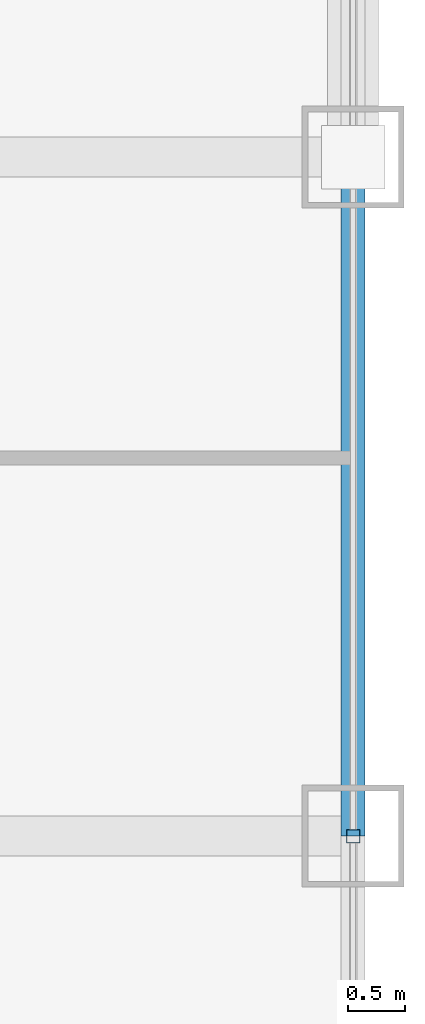
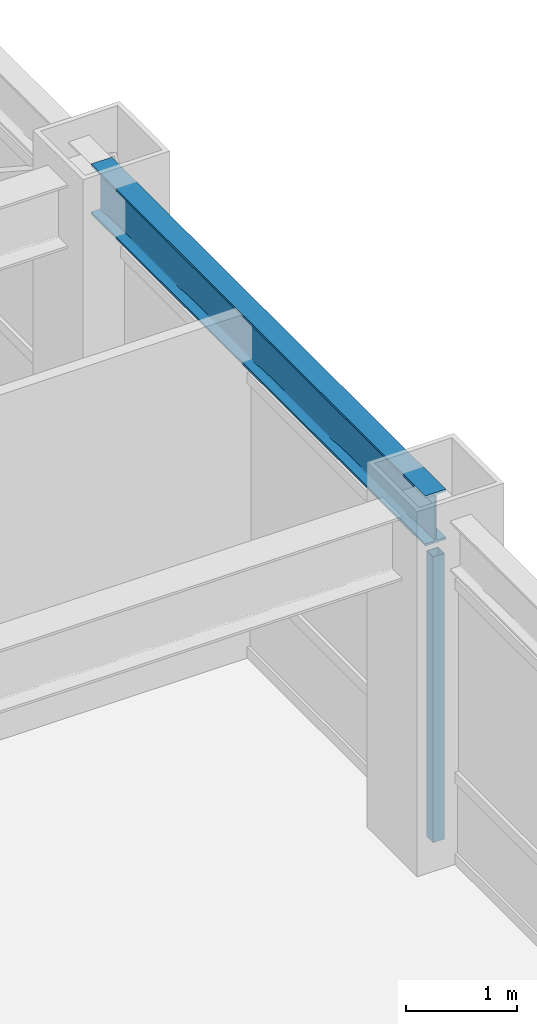
# One storey, part 10 of 22: 1 beam, 1 member, 1 element without a shape of its own.
"""IFC4 building model written with IfcOpenShell, lengths in metres."""

import ifcopenshell
import ifcopenshell.guid

model = None  # the IFC model being written
_history = None  # IfcOwnerHistory: only IFC2X3 demands one
_inside = {}  # id of a spatial element -> (the spatial element, [elements in it])
_under = {}  # id of a project, library or spatial element -> (it, [spatial elements below it])
_declared = {}  # id of a project -> (the project, [libraries it declares])
_typed = {}  # id of a type object -> (the type object, [elements of that type])
_made_of = {}  # id of a material, layer set ... -> (it, [elements and type objects made of it])


def new_model(schema):
    """Start an empty IFC model of exactly this schema.

    Asked for "IFC4X3", IfcOpenShell would pick the latest addendum, in which some entities
    have other attributes; the version numbers below select the first issue.
    IFC2X3 requires an IfcOwnerHistory on every rooted entity: one is made here for all.
    """
    global model, _history
    if schema == "IFC4X3":
        model = ifcopenshell.file(schema_version=(4, 3, 0, 0))
    else:
        model = ifcopenshell.file(schema=schema)
    _inside.clear()
    _under.clear()
    _declared.clear()
    _typed.clear()
    _made_of.clear()
    _history = None
    if model.schema == "IFC2X3":
        org = make("IfcOrganization", Name="unknown")
        user = make(
            "IfcPersonAndOrganization",
            ThePerson=make("IfcPerson", FamilyName="unknown"),
            TheOrganization=org,
        )
        app = make(
            "IfcApplication",
            ApplicationDeveloper=org,
            Version="unknown",
            ApplicationFullName="unknown",
            ApplicationIdentifier="unknown",
        )
        _history = make(
            "IfcOwnerHistory",
            OwningUser=user,
            OwningApplication=app,
            ChangeAction="ADDED",
            CreationDate=0,
        )
    return model


def make(cls, **values):
    """One entity of the class cls with the attributes given. An attribute that is None is left unset."""
    return model.create_entity(
        cls, **{name: value for name, value in values.items() if value is not None}
    )


def rooted(cls, **values):
    """An entity with a GlobalId (a new one), such as an element, a storey or a relation."""
    return make(cls, GlobalId=ifcopenshell.guid.new(), OwnerHistory=_history, **values)


def si_unit(unit_type, name, prefix=None):
    """IfcSIUnit, for example si_unit("LENGTHUNIT", "METRE", prefix="MILLI")."""
    return make("IfcSIUnit", UnitType=unit_type, Prefix=prefix, Name=name)


def assignment(units):
    """IfcUnitAssignment: the units of a project."""
    return None if units is None else make("IfcUnitAssignment", Units=units)


def point(xyz):
    """IfcCartesianPoint."""
    return None if xyz is None else make("IfcCartesianPoint", Coordinates=xyz)


def direction(xyz):
    """IfcDirection."""
    return None if xyz is None else make("IfcDirection", DirectionRatios=xyz)


def frame(location, z_axis=None, x_axis=None):
    """IfcAxis2Placement3D, a coordinate frame: its origin and axes. An axis left out is left unset."""
    return make(
        "IfcAxis2Placement3D",
        Location=point(location),
        Axis=direction(z_axis),
        RefDirection=direction(x_axis),
    )


def frame_2d(location, x_axis=None):
    """IfcAxis2Placement2D, a coordinate frame in the plane: its origin and x axis."""
    return make(
        "IfcAxis2Placement2D", Location=point(location), RefDirection=direction(x_axis)
    )


def origin():
    """The frame at (0, 0, 0) with its axes left unset."""
    return frame((0.0, 0.0, 0.0))


def origin_2d():
    """The frame at (0, 0) in the plane with its x axis left unset."""
    return frame_2d((0.0, 0.0))


def place(relative_to, where):
    """IfcLocalPlacement: puts the frame where relative to a parent placement (None: the world)."""
    return make(
        "IfcLocalPlacement", PlacementRelTo=relative_to, RelativePlacement=where
    )


def context(
    kind, dimensions, precision=None, world=None, true_north=None, identifier=None
):
    """IfcGeometricRepresentationContext, for example the 3D "Model" context."""
    return make(
        "IfcGeometricRepresentationContext",
        ContextIdentifier=identifier,
        ContextType=kind,
        CoordinateSpaceDimension=dimensions,
        Precision=precision,
        WorldCoordinateSystem=world,
        TrueNorth=true_north,
    )


def subcontext(parent, identifier, kind, view, scale=None):
    """IfcGeometricRepresentationSubContext, for example "Body" below "Model"."""
    return make(
        "IfcGeometricRepresentationSubContext",
        ContextIdentifier=identifier,
        ContextType=kind,
        ParentContext=parent,
        TargetScale=scale,
        TargetView=view,
    )


def project(units=None, contexts=None):
    """IfcProject with its units and contexts."""
    return rooted(
        "IfcProject",
        Name="project",
        RepresentationContexts=contexts,
        UnitsInContext=assignment(units),
    )


def spatial(cls, under=None, at=None, **own):
    """A site, building, storey or space (cls), placed at a placement, below another one or the project."""
    s = rooted(cls, ObjectPlacement=at, **own)
    if under is not None:
        _under.setdefault(under.id(), (under, []))[1].append(s)
    return s


def profile(cls, at=None, kind="AREA", **sizes):
    """A parametric profile (cls). Its sizes go by their IFC names, for example OverallWidth=200.0."""
    return make(cls, ProfileType=kind, Position=at, **sizes)


def hollow_rectangle(**sizes):
    """IfcRectangleHollowProfileDef."""
    return profile("IfcRectangleHollowProfileDef", **sizes)


def i_section(**sizes):
    """IfcIShapeProfileDef."""
    return profile("IfcIShapeProfileDef", **sizes)


def extrude(swept, where, along, depth):
    """IfcExtrudedAreaSolid: the profile swept, set in the frame where, extruded along a direction by depth."""
    return make(
        "IfcExtrudedAreaSolid",
        SweptArea=swept,
        Position=where,
        ExtrudedDirection=direction(along),
        Depth=depth,
    )


def shape(context_of_items, identifier, shape_type, items):
    """IfcShapeRepresentation: the items that make up one representation, for example the "Body"."""
    return make(
        "IfcShapeRepresentation",
        ContextOfItems=context_of_items,
        RepresentationIdentifier=identifier,
        RepresentationType=shape_type,
        Items=items,
    )


def source(mapping_origin, context_of_items, identifier, shape_type, items):
    """IfcRepresentationMap: a shape defined once, which mapped items show again and again."""
    return make(
        "IfcRepresentationMap",
        MappingOrigin=mapping_origin,
        MappedRepresentation=shape(context_of_items, identifier, shape_type, items),
    )


def transform(
    local_origin,
    x_axis=None,
    y_axis=None,
    z_axis=None,
    scale=None,
    scale2=None,
    scale3=None,
    uniform=True,
):
    """IfcCartesianTransformationOperator3D, or its non-uniform kind. x_axis, y_axis, z_axis: its Axis1, 2, 3."""
    if uniform:
        return make(
            "IfcCartesianTransformationOperator3D",
            Axis1=direction(x_axis),
            Axis2=direction(y_axis),
            LocalOrigin=point(local_origin),
            Scale=scale,
            Axis3=direction(z_axis),
        )
    return make(
        "IfcCartesianTransformationOperator3DnonUniform",
        Axis1=direction(x_axis),
        Axis2=direction(y_axis),
        LocalOrigin=point(local_origin),
        Scale=scale,
        Axis3=direction(z_axis),
        Scale2=scale2,
        Scale3=scale3,
    )


def mapped(mapping_source, mapping_target):
    """IfcMappedItem: shows the shape of a source again, moved by a transform."""
    return make(
        "IfcMappedItem", MappingSource=mapping_source, MappingTarget=mapping_target
    )


def material(Name=None, Category=None):
    """IfcMaterial."""
    return make("IfcMaterial", Name=Name, Category=Category)


def material_profile(
    of_material, cross_section, Name=None, Category=None, Priority=None
):
    """IfcMaterialProfile: a cross section and its material."""
    return make(
        "IfcMaterialProfile",
        Name=Name,
        Material=of_material,
        Profile=cross_section,
        Priority=Priority,
        Category=Category,
    )


def profile_set(profiles, Name=None, composite=None):
    """IfcMaterialProfileSet."""
    return make(
        "IfcMaterialProfileSet",
        Name=Name,
        MaterialProfiles=profiles,
        CompositeProfile=composite,
    )


def made_of(thing, what):
    """Note that an element or type object is made of a material, layer set ...; save() writes the relation."""
    if what is not None:
        _made_of.setdefault(what.id(), (what, []))[1].append(thing)
    return thing


def type_object(cls, material=None, **own):
    """A type object (cls), such as IfcWallType, which elements share."""
    return made_of(rooted(cls, **own), material)


def element(
    cls,
    number,
    at=None,
    inside=None,
    cuts=None,
    type_object=None,
    material=None,
    context=None,
    identifier="Body",
    shape_type=None,
    held_by="IfcProductDefinitionShape",
    body=None,
    shapes=None,
    **own,
):
    """One element of the class cls, such as IfcWall. Its Tag is "e" and its number.

    at: its placement. inside: the storey or other place that contains it. cuts: it is an
    opening in that element (IfcRelVoidsElement). A single representation is given by context,
    identifier, shape_type and body (its items); several are given by shapes. held_by: the class
    of the entity that holds the representations. save() writes the other relations.
    """
    e = rooted(cls, Tag="e%d" % number, ObjectPlacement=at, **own)
    if body is not None:
        shapes = [shape(context, identifier, shape_type, body)]
    if shapes is not None:
        e.Representation = make(held_by, Representations=shapes)
    if inside is not None:
        _inside.setdefault(inside.id(), (inside, []))[1].append(e)
    if cuts is not None:
        rooted(
            "IfcRelVoidsElement", RelatingBuildingElement=cuts, RelatedOpeningElement=e
        )
    if type_object is not None:
        _typed.setdefault(type_object.id(), (type_object, []))[1].append(e)
    return made_of(e, material)


def aggregate(whole, parts):
    """IfcRelAggregates: a whole, such as a stair, and the parts it consists of."""
    return rooted("IfcRelAggregates", RelatingObject=whole, RelatedObjects=parts)


def save(model, path):
    """Write the relations noted so far, then the file.

    IfcRelAggregates (storeys below a building ...), IfcRelContainedInSpatialStructure (elements
    in a storey), IfcRelDefinesByType, IfcRelAssociatesMaterial and IfcRelDeclares: one each for
    every whole, place, type object, material and project.
    """
    for whole, parts in _under.values():
        aggregate(whole, parts)
    for where, things in _inside.values():
        rooted(
            "IfcRelContainedInSpatialStructure",
            RelatedElements=things,
            RelatingStructure=where,
        )
    for kind, things in _typed.values():
        rooted("IfcRelDefinesByType", RelatedObjects=things, RelatingType=kind)
    for what, things in _made_of.values():
        rooted("IfcRelAssociatesMaterial", RelatedObjects=things, RelatingMaterial=what)
    for by, libraries in _declared.values():
        rooted("IfcRelDeclares", RelatingContext=by, RelatedDefinitions=libraries)
    model.write(path)


model = new_model("IFC4")

# Units and contexts
model_context = context("Model", 3, precision=1e-05, world=origin(), true_north=direction((0.0, 1.0)))
body_context = subcontext(model_context, "Body", "Model", "MODEL_VIEW")
ifc_project = project(units=[si_unit("LENGTHUNIT", "METRE"), si_unit("AREAUNIT", "SQUARE_METRE"), si_unit("VOLUMEUNIT", "CUBIC_METRE"), si_unit("PLANEANGLEUNIT", "RADIAN"), si_unit("MASSUNIT", "GRAM", prefix="KILO")], contexts=[model_context])

# Site, building, storey
site_placement = place(None, origin())
site = spatial("IfcSite", under=ifc_project, at=site_placement, CompositionType="ELEMENT")
building_placement = place(site_placement, origin())
building = spatial("IfcBuilding", under=site, at=building_placement, Name="Khorayat Bourse Tower", CompositionType="ELEMENT")
storey_placement = place(building_placement, frame((0.0, 0.0, 305.5)))
storey = spatial("IfcBuildingStorey", under=building, at=storey_placement, Name="L72", CompositionType="ELEMENT", Elevation=305.5)

# Beam
ifc_material_1 = material(Name="Steel ASTM A992 Grade 50", Category="steel")
ifc_material_profile_1 = material_profile(ifc_material_1, i_section(OverallWidth=0.214111328125, OverallDepth=0.549072265625, WebThickness=0.0146484375, FlangeThickness=0.023681640625, FilletRadius=0.013916015625, at=origin_2d()), Name="W530X138")
ifc_profile_set_1 = profile_set([ifc_material_profile_1], Name="Steel ASTM A992 Grade 50")
beam_type = type_object("IfcBeamType", Name="BM-SPAN-530", PredefinedType="SPANDREL", material=ifc_profile_set_1)
shared_shape_1 = source(origin(), body_context, "Body", "SweptSolid", [
    extrude(i_section(OverallWidth=0.214111328125, OverallDepth=0.549072265625, WebThickness=0.0146484375, FlangeThickness=0.023681640625, FilletRadius=0.013916015625, at=origin_2d()), origin(), (0.0, 0.0, 1.0), 6.0),
])
beam_placement = place(storey_placement, frame((28.0, 0.0, 3.505615234375), z_axis=(0.0, 1.0, 0.0), x_axis=(-1.0, 0.0, 0.0)))
element("IfcBeam", 1, at=beam_placement, inside=storey, type_object=beam_type, Name="L72 BM-SPAN-530 BM-L72-SPN-038", PredefinedType="SPANDREL", context=body_context, shape_type="MappedRepresentation", body=[
    mapped(shared_shape_1, transform((0.0, 0.0, 0.0), scale=1.0)),
])

# Curtain wall, member
ifc_material_2 = material(Name="Aluminium EN AW-6063 T6", Category="aluminium")
curtain_wall_type = type_object("IfcCurtainWallType", Name="CW-SYS-04", PredefinedType="NOTDEFINED", material=ifc_material_2)
curtain_wall_placement = place(storey_placement, origin())
curtain_wall = element("IfcCurtainWall", 2, at=curtain_wall_placement, inside=storey, type_object=curtain_wall_type, Name="L72 Curtain Wall CW-L72-E1", PredefinedType="NOTDEFINED")
ifc_material_profile_2 = material_profile(ifc_material_2, hollow_rectangle(XDim=0.1201171875, YDim=0.1201171875, WallThickness=0.0048828125, at=origin_2d()), Name="ALU 120x120x5")
ifc_profile_set_2 = profile_set([ifc_material_profile_2], Name="Aluminium EN AW-6063 T6")
member_type = type_object("IfcMemberType", Name="CWM-VERT-120", PredefinedType="MULLION", material=ifc_profile_set_2)
shared_shape_2 = source(origin(), body_context, "Body", "SweptSolid", [
    extrude(hollow_rectangle(XDim=0.1201171875, YDim=0.1201171875, WallThickness=0.0048828125, at=origin_2d()), origin(), (0.0, 0.0, 1.0), 3.1298828125),
])
member_placement = place(storey_placement, frame((28.0, 0.0, 0.0), z_axis=(0.0, 0.0, 1.0), x_axis=(-1.0, 0.0, 0.0)))
member = element("IfcMember", 3, at=member_placement, type_object=member_type, Name="CW-L72-E1 Vertical Mullion 2", PredefinedType="MULLION", context=body_context, shape_type="MappedRepresentation", body=[
    mapped(shared_shape_2, transform((0.0, 0.0, 0.0), scale=1.0)),
])
aggregate(curtain_wall, [member])

save(model, "model.ifc")
